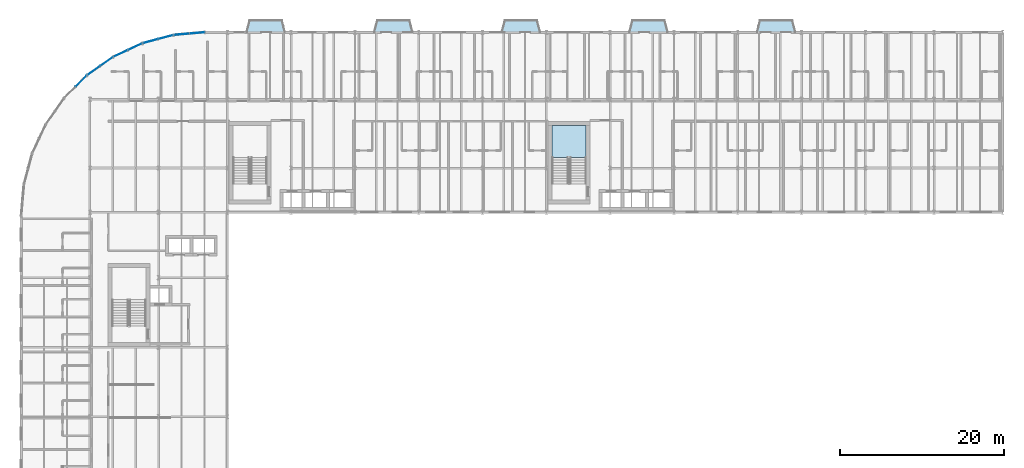
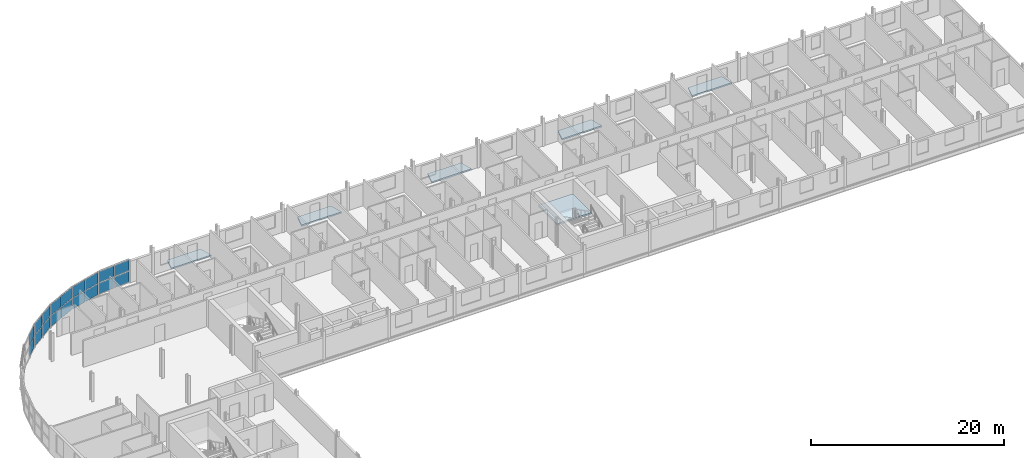
# One storey, part 15 of 34: 18 plates, 6 slabs, 6 elements without a shape of their own.
"""IFC4 building model written with IfcOpenShell, lengths in metres."""

from ifc_helpers import new_model, si_unit, direction, frame, origin, origin_2d, place, context, subcontext, project, spatial, polyline, rectangle, outline, extrude, material, layer, layer_set, type_object, element, aggregate, save


model = new_model("IFC4")

# Units and contexts
model_context = context("Model", 3, precision=1e-05, world=origin(), true_north=direction((0.0, 1.0)))
body_context = subcontext(model_context, "Body", "Model", "MODEL_VIEW")
ifc_project = project(units=[si_unit("LENGTHUNIT", "METRE"), si_unit("AREAUNIT", "SQUARE_METRE"), si_unit("VOLUMEUNIT", "CUBIC_METRE"), si_unit("PLANEANGLEUNIT", "RADIAN"), si_unit("MASSUNIT", "GRAM", prefix="KILO")], contexts=[model_context])

# Site, building, storey
site_placement = place(None, origin())
site = spatial("IfcSite", under=ifc_project, at=site_placement, CompositionType="ELEMENT")
building_placement = place(site_placement, origin())
building = spatial("IfcBuilding", under=site, at=building_placement, Name="Sefraquen Railside Congress Hotel", CompositionType="ELEMENT")
storey_placement = place(building_placement, frame((0.0, 0.0, 31.800048828125)))
storey = spatial("IfcBuildingStorey", under=building, at=storey_placement, Name="L07", CompositionType="ELEMENT", Elevation=31.800048828125)

# Curtain wall, plates
ifc_material_1 = material(Name="Thermally broken anodised aluminium and low-E double glazing", Category="aluminium")
ifc_layer_1 = layer(ifc_material_1, 0.199951171875)
ifc_layer_set_1 = layer_set([ifc_layer_1], Name="Thermally broken anodised aluminium and low-E double glazing")
curtain_wall_type_1 = type_object("IfcCurtainWallType", Name="TCW-UCW-32", PredefinedType="USERDEFINED", material=ifc_layer_set_1)
curtain_wall_1_placement = place(storey_placement, origin())
curtain_wall_1 = element("IfcCurtainWall", 1, at=curtain_wall_1_placement, inside=storey, type_object=curtain_wall_type_1, Name="Rotunda L07 curved curtain wall facet 1", ObjectType="UNITISED CURTAIN WALL", PredefinedType="USERDEFINED")
ifc_material_2 = material(Name="Solar-control low-E double glazing", Category="glass")
ifc_layer_2 = layer(ifc_material_2, 0.02392578125)
ifc_layer_set_2 = layer_set([ifc_layer_2], Name="Solar-control low-E double glazing")
plate_type_1 = type_object("IfcPlateType", Name="TP-CWP-01", PredefinedType="CURTAIN_PANEL", material=ifc_layer_set_2)
plate_1_placement = place(storey_placement, frame((21.50341796875, 117.912841796875, 0.0400390625), z_axis=(0.0, 0.0, 1.0), x_axis=(-0.996196219095, -0.087138355857, 0.0)))
plate_1 = element("IfcPlate", 2, at=plate_1_placement, type_object=plate_type_1, Name="CW-L07-ROT-01 panel 1.1", PredefinedType="CURTAIN_PANEL", context=body_context, shape_type="SweptSolid", body=[
    extrude(rectangle(XDim=1.8310546875, YDim=0.02392578125, at=origin_2d()), origin(), (0.0, 0.0, 1.0), 1.375),
])
plate_2_placement = place(storey_placement, frame((19.589599609375, 117.745361328125, 0.0400390625), z_axis=(0.0, 0.0, 1.0), x_axis=(-0.996196219095, -0.087138355857, 0.0)))
plate_2 = element("IfcPlate", 3, at=plate_2_placement, type_object=plate_type_1, Name="CW-L07-ROT-01 panel 1.2", PredefinedType="CURTAIN_PANEL", context=body_context, shape_type="SweptSolid", body=[
    extrude(rectangle(XDim=1.8310546875, YDim=0.02392578125, at=origin_2d()), origin(), (0.0, 0.0, 1.0), 1.375),
])

ifc_layer_3 = layer(ifc_material_1, 0.199951171875)
ifc_layer_set_3 = layer_set([ifc_layer_3], Name="Thermally broken anodised aluminium and low-E double glazing")
curtain_wall_type_2 = type_object("IfcCurtainWallType", Name="TCW-UCW-01", PredefinedType="USERDEFINED", material=ifc_layer_set_3)
curtain_wall_2_placement = place(storey_placement, origin())
curtain_wall_2 = element("IfcCurtainWall", 4, at=curtain_wall_2_placement, inside=storey, type_object=curtain_wall_type_2, Name="Rotunda L07 curved curtain wall facet 2", ObjectType="UNITISED CURTAIN WALL", PredefinedType="USERDEFINED")
plate_3_placement = place(storey_placement, frame((17.62646484375, 117.399169921875, 0.0400390625), z_axis=(0.0, 0.0, 1.0), x_axis=(-0.96593486019, -0.258785327773, 0.0)))
plate_3 = element("IfcPlate", 5, at=plate_3_placement, type_object=plate_type_1, Name="CW-L07-ROT-02 panel 1.1", PredefinedType="CURTAIN_PANEL", context=body_context, shape_type="SweptSolid", body=[
    extrude(rectangle(XDim=1.8310546875, YDim=0.02392578125, at=origin_2d()), origin(), (0.0, 0.0, 1.0), 1.375),
])
plate_4_placement = place(storey_placement, frame((15.77099609375, 116.902099609375, 0.0400390625), z_axis=(0.0, 0.0, 1.0), x_axis=(-0.96593486019, -0.258785327773, 0.0)))
plate_4 = element("IfcPlate", 6, at=plate_4_placement, type_object=plate_type_1, Name="CW-L07-ROT-02 panel 1.2", PredefinedType="CURTAIN_PANEL", context=body_context, shape_type="SweptSolid", body=[
    extrude(rectangle(XDim=1.8310546875, YDim=0.02392578125, at=origin_2d()), origin(), (0.0, 0.0, 1.0), 1.375),
])

ifc_layer_4 = layer(ifc_material_1, 0.199951171875)
ifc_layer_set_4 = layer_set([ifc_layer_4], Name="Thermally broken anodised aluminium and low-E double glazing")
curtain_wall_type_3 = type_object("IfcCurtainWallType", Name="TCW-UCW-02", PredefinedType="USERDEFINED", material=ifc_layer_set_4)
curtain_wall_3_placement = place(storey_placement, origin())
curtain_wall_3 = element("IfcCurtainWall", 7, at=curtain_wall_3_placement, inside=storey, type_object=curtain_wall_type_3, Name="Rotunda L07 curved curtain wall facet 3", ObjectType="UNITISED CURTAIN WALL", PredefinedType="USERDEFINED")
plate_5_placement = place(storey_placement, frame((13.897705078125, 116.22021484375, 0.0400390625), z_axis=(0.0, 0.0, 1.0), x_axis=(-0.906300410818, -0.422634079731, 0.0)))
plate_5 = element("IfcPlate", 8, at=plate_5_placement, type_object=plate_type_1, Name="CW-L07-ROT-03 panel 1.1", PredefinedType="CURTAIN_PANEL", context=body_context, shape_type="SweptSolid", body=[
    extrude(rectangle(XDim=1.830810546875, YDim=0.02392578125, at=origin_2d()), origin(), (0.0, 0.0, 1.0), 1.375),
])
plate_6_placement = place(storey_placement, frame((12.15673828125, 115.408447265625, 0.0400390625), z_axis=(0.0, 0.0, 1.0), x_axis=(-0.906300410818, -0.422634079731, 0.0)))
plate_6 = element("IfcPlate", 9, at=plate_6_placement, type_object=plate_type_1, Name="CW-L07-ROT-03 panel 1.2", PredefinedType="CURTAIN_PANEL", context=body_context, shape_type="SweptSolid", body=[
    extrude(rectangle(XDim=1.830810546875, YDim=0.02392578125, at=origin_2d()), origin(), (0.0, 0.0, 1.0), 1.375),
])

ifc_layer_5 = layer(ifc_material_1, 0.199951171875)
ifc_layer_set_5 = layer_set([ifc_layer_5], Name="Thermally broken anodised aluminium and low-E double glazing")
curtain_wall_type_4 = type_object("IfcCurtainWallType", Name="TCW-UCW-03", PredefinedType="USERDEFINED", material=ifc_layer_set_5)
curtain_wall_4_placement = place(storey_placement, origin())
curtain_wall_4 = element("IfcCurtainWall", 10, at=curtain_wall_4_placement, inside=storey, type_object=curtain_wall_type_4, Name="Rotunda L07 curved curtain wall facet 4", ObjectType="UNITISED CURTAIN WALL", PredefinedType="USERDEFINED")
plate_7_placement = place(storey_placement, frame((10.430419921875, 114.411865234375, 0.0400390625), z_axis=(0.0, 0.0, 1.0), x_axis=(-0.819132022195, -0.573605029802, 0.0)))
plate_7 = element("IfcPlate", 11, at=plate_7_placement, type_object=plate_type_1, Name="CW-L07-ROT-04 panel 1.1", PredefinedType="CURTAIN_PANEL", context=body_context, shape_type="SweptSolid", body=[
    extrude(rectangle(XDim=1.8310546875, YDim=0.02392578125, at=origin_2d()), origin(), (0.0, 0.0, 1.0), 1.375),
])
plate_8_placement = place(storey_placement, frame((8.856689453125, 113.309814453125, 0.0400390625), z_axis=(0.0, 0.0, 1.0), x_axis=(-0.819132022195, -0.573605029802, 0.0)))
plate_8 = element("IfcPlate", 12, at=plate_8_placement, type_object=plate_type_1, Name="CW-L07-ROT-04 panel 1.2", PredefinedType="CURTAIN_PANEL", context=body_context, shape_type="SweptSolid", body=[
    extrude(rectangle(XDim=1.8310546875, YDim=0.02392578125, at=origin_2d()), origin(), (0.0, 0.0, 1.0), 1.375),
])

# Curtain wall, plate
ifc_layer_6 = layer(ifc_material_1, 0.199951171875)
ifc_layer_set_6 = layer_set([ifc_layer_6], Name="Thermally broken anodised aluminium and low-E double glazing")
curtain_wall_type_5 = type_object("IfcCurtainWallType", Name="TCW-UCW-04", PredefinedType="USERDEFINED", material=ifc_layer_set_6)
curtain_wall_5_placement = place(storey_placement, origin())
curtain_wall_5 = element("IfcCurtainWall", 13, at=curtain_wall_5_placement, inside=storey, type_object=curtain_wall_type_5, Name="Rotunda L07 curved curtain wall facet 5", ObjectType="UNITISED CURTAIN WALL", PredefinedType="USERDEFINED")
plate_9_placement = place(storey_placement, frame((7.329833984375, 112.028564453125, 0.0400390625), z_axis=(0.0, 0.0, 1.0), x_axis=(-0.707106781187, -0.707106781187, 0.0)))
plate_9 = element("IfcPlate", 14, at=plate_9_placement, type_object=plate_type_1, Name="CW-L07-ROT-05 panel 1.1", PredefinedType="CURTAIN_PANEL", context=body_context, shape_type="SweptSolid", body=[
    extrude(rectangle(XDim=1.8310546875, YDim=0.02392578125, at=origin_2d()), origin(), (0.0, 0.0, 1.0), 1.375),
])

# Plate
ifc_material_3 = material(Name="Triple acoustic solar-control glazing", Category="glass")
ifc_layer_7 = layer(ifc_material_3, 0.031982421875)
ifc_layer_set_7 = layer_set([ifc_layer_7], Name="Triple acoustic solar-control glazing")
plate_type_2 = type_object("IfcPlateType", Name="TP-CWP-02", PredefinedType="CURTAIN_PANEL", material=ifc_layer_set_7)
plate_10_placement = place(storey_placement, frame((21.50341796875, 117.912841796875, 1.494873046875), z_axis=(0.0, 0.0, 1.0), x_axis=(-0.996196219095, -0.087138355857, 0.0)))
plate_10 = element("IfcPlate", 15, at=plate_10_placement, type_object=plate_type_2, Name="CW-L07-ROT-01 panel 2.1", PredefinedType="CURTAIN_PANEL", context=body_context, shape_type="SweptSolid", body=[
    extrude(rectangle(XDim=1.8310546875, YDim=0.031982421875, at=origin_2d()), origin(), (0.0, 0.0, 1.0), 1.375),
])

plate_11_placement = place(storey_placement, frame((19.589599609375, 117.745361328125, 1.494873046875), z_axis=(0.0, 0.0, 1.0), x_axis=(-0.996196219095, -0.087138355857, 0.0)))
plate_11 = element("IfcPlate", 16, at=plate_11_placement, type_object=plate_type_2, Name="CW-L07-ROT-01 panel 2.2", PredefinedType="CURTAIN_PANEL", context=body_context, shape_type="SweptSolid", body=[
    extrude(rectangle(XDim=1.8310546875, YDim=0.031982421875, at=origin_2d()), origin(), (0.0, 0.0, 1.0), 1.375),
])

aggregate(curtain_wall_1, [plate_1, plate_2, plate_10, plate_11])

plate_12_placement = place(storey_placement, frame((17.62646484375, 117.399169921875, 1.494873046875), z_axis=(0.0, 0.0, 1.0), x_axis=(-0.96593486019, -0.258785327773, 0.0)))
plate_12 = element("IfcPlate", 17, at=plate_12_placement, type_object=plate_type_2, Name="CW-L07-ROT-02 panel 2.1", PredefinedType="CURTAIN_PANEL", context=body_context, shape_type="SweptSolid", body=[
    extrude(rectangle(XDim=1.8310546875, YDim=0.031982421875, at=origin_2d()), origin(), (0.0, 0.0, 1.0), 1.375),
])

plate_13_placement = place(storey_placement, frame((15.77099609375, 116.902099609375, 1.494873046875), z_axis=(0.0, 0.0, 1.0), x_axis=(-0.96593486019, -0.258785327773, 0.0)))
plate_13 = element("IfcPlate", 18, at=plate_13_placement, type_object=plate_type_2, Name="CW-L07-ROT-02 panel 2.2", PredefinedType="CURTAIN_PANEL", context=body_context, shape_type="SweptSolid", body=[
    extrude(rectangle(XDim=1.8310546875, YDim=0.031982421875, at=origin_2d()), origin(), (0.0, 0.0, 1.0), 1.375),
])

aggregate(curtain_wall_2, [plate_3, plate_4, plate_12, plate_13])

plate_14_placement = place(storey_placement, frame((13.897705078125, 116.22021484375, 1.494873046875), z_axis=(0.0, 0.0, 1.0), x_axis=(-0.906300410818, -0.422634079731, 0.0)))
plate_14 = element("IfcPlate", 19, at=plate_14_placement, type_object=plate_type_2, Name="CW-L07-ROT-03 panel 2.1", PredefinedType="CURTAIN_PANEL", context=body_context, shape_type="SweptSolid", body=[
    extrude(rectangle(XDim=1.830810546875, YDim=0.031982421875, at=origin_2d()), origin(), (0.0, 0.0, 1.0), 1.375),
])

plate_15_placement = place(storey_placement, frame((12.15673828125, 115.408447265625, 1.494873046875), z_axis=(0.0, 0.0, 1.0), x_axis=(-0.906300410818, -0.422634079731, 0.0)))
plate_15 = element("IfcPlate", 20, at=plate_15_placement, type_object=plate_type_2, Name="CW-L07-ROT-03 panel 2.2", PredefinedType="CURTAIN_PANEL", context=body_context, shape_type="SweptSolid", body=[
    extrude(rectangle(XDim=1.830810546875, YDim=0.031982421875, at=origin_2d()), origin(), (0.0, 0.0, 1.0), 1.375),
])

aggregate(curtain_wall_3, [plate_5, plate_6, plate_14, plate_15])

plate_16_placement = place(storey_placement, frame((10.430419921875, 114.411865234375, 1.494873046875), z_axis=(0.0, 0.0, 1.0), x_axis=(-0.819132022195, -0.573605029802, 0.0)))
plate_16 = element("IfcPlate", 21, at=plate_16_placement, type_object=plate_type_2, Name="CW-L07-ROT-04 panel 2.1", PredefinedType="CURTAIN_PANEL", context=body_context, shape_type="SweptSolid", body=[
    extrude(rectangle(XDim=1.8310546875, YDim=0.031982421875, at=origin_2d()), origin(), (0.0, 0.0, 1.0), 1.375),
])

plate_17_placement = place(storey_placement, frame((8.856689453125, 113.309814453125, 1.494873046875), z_axis=(0.0, 0.0, 1.0), x_axis=(-0.819132022195, -0.573605029802, 0.0)))
plate_17 = element("IfcPlate", 22, at=plate_17_placement, type_object=plate_type_2, Name="CW-L07-ROT-04 panel 2.2", PredefinedType="CURTAIN_PANEL", context=body_context, shape_type="SweptSolid", body=[
    extrude(rectangle(XDim=1.8310546875, YDim=0.031982421875, at=origin_2d()), origin(), (0.0, 0.0, 1.0), 1.375),
])

aggregate(curtain_wall_4, [plate_7, plate_8, plate_16, plate_17])

plate_18_placement = place(storey_placement, frame((7.329833984375, 112.028564453125, 1.494873046875), z_axis=(0.0, 0.0, 1.0), x_axis=(-0.707106781187, -0.707106781187, 0.0)))
plate_18 = element("IfcPlate", 23, at=plate_18_placement, type_object=plate_type_2, Name="CW-L07-ROT-05 panel 2.1", PredefinedType="CURTAIN_PANEL", context=body_context, shape_type="SweptSolid", body=[
    extrude(rectangle(XDim=1.8310546875, YDim=0.031982421875, at=origin_2d()), origin(), (0.0, 0.0, 1.0), 1.375),
])

aggregate(curtain_wall_5, [plate_9, plate_18])

# Slabs
ifc_material_4 = material(Name="Concrete C40/50", Category="concrete")
ifc_layer_8 = layer(ifc_material_4, 0.179931640625)
ifc_layer_set_8 = layer_set([ifc_layer_8], Name="Concrete C40/50")
slab_type_1 = type_object("IfcSlabType", Name="TS-BL-180", PredefinedType="FLOOR", material=ifc_layer_set_8)
slab_1_placement = place(storey_placement, frame((0.0, 0.0, -0.179931640625)))
element("IfcSlab", 24, at=slab_1_placement, inside=storey, type_object=slab_type_1, Name="Hotel Art Nouveau balcony slab L07-01", PredefinedType="FLOOR", context=body_context, shape_type="SweptSolid", body=[
    extrude(outline(polyline([(27.5, 118.0), (32.300048828125, 118.0), (31.89990234375, 119.5), (27.89990234375, 119.5), (27.5, 118.0)])), origin(), (0.0, 0.0, 1.0), 0.179931640625),
])
slab_2_placement = place(storey_placement, frame((0.0, 0.0, -0.179931640625)))
element("IfcSlab", 25, at=slab_2_placement, inside=storey, type_object=slab_type_1, Name="Hotel Art Nouveau balcony slab L07-02", PredefinedType="FLOOR", context=body_context, shape_type="SweptSolid", body=[
    extrude(outline(polyline([(43.10009765625, 118.0), (47.89990234375, 118.0), (47.5, 119.5), (43.5, 119.5), (43.10009765625, 118.0)])), origin(), (0.0, 0.0, 1.0), 0.179931640625),
])
slab_3_placement = place(storey_placement, frame((0.0, 0.0, -0.179931640625)))
element("IfcSlab", 26, at=slab_3_placement, inside=storey, type_object=slab_type_1, Name="Hotel Art Nouveau balcony slab L07-03", PredefinedType="FLOOR", context=body_context, shape_type="SweptSolid", body=[
    extrude(outline(polyline([(58.699951171875, 118.0), (63.5, 118.0), (63.10009765625, 119.5), (59.10009765625, 119.5), (58.699951171875, 118.0)])), origin(), (0.0, 0.0, 1.0), 0.179931640625),
])
slab_4_placement = place(storey_placement, frame((0.0, 0.0, -0.179931640625)))
element("IfcSlab", 27, at=slab_4_placement, inside=storey, type_object=slab_type_1, Name="Hotel Art Nouveau balcony slab L07-04", PredefinedType="FLOOR", context=body_context, shape_type="SweptSolid", body=[
    extrude(outline(polyline([(74.300048828125, 118.0), (79.10009765625, 118.0), (78.699951171875, 119.5), (74.699951171875, 119.5), (74.300048828125, 118.0)])), origin(), (0.0, 0.0, 1.0), 0.179931640625),
])
slab_5_placement = place(storey_placement, frame((0.0, 0.0, -0.179931640625)))
element("IfcSlab", 28, at=slab_5_placement, inside=storey, type_object=slab_type_1, Name="Hotel Art Nouveau balcony slab L07-05", PredefinedType="FLOOR", context=body_context, shape_type="SweptSolid", body=[
    extrude(outline(polyline([(89.89990234375, 118.0), (94.699951171875, 118.0), (94.300048828125, 119.5), (90.300048828125, 119.5), (89.89990234375, 118.0)])), origin(), (0.0, 0.0, 1.0), 0.179931640625),
])

# Stair, slab
stair_type = type_object("IfcStairType", Name="TST-DOG-198-450", PredefinedType="HALF_TURN_STAIR", material=ifc_material_4)
stair_placement = place(storey_placement, origin())
stair = element("IfcStair", 29, at=stair_placement, inside=storey, type_object=stair_type, Name="L07 Pressurized escape stair ST-H03", PredefinedType="HALF_TURN_STAIR")
ifc_layer_9 = layer(ifc_material_4, 0.199951171875)
ifc_layer_set_9 = layer_set([ifc_layer_9], Name="Concrete C40/50")
slab_type_2 = type_object("IfcSlabType", Name="TS-LD-200", PredefinedType="LANDING", material=ifc_layer_set_9)
slab_6_placement = place(storey_placement, frame((0.0, 0.0, 1.599853515625)))
slab_6 = element("IfcSlab", 30, at=slab_6_placement, type_object=slab_type_2, Name="ST-H03 landing 1", PredefinedType="LANDING", context=body_context, shape_type="SweptSolid", body=[
    extrude(outline(polyline([(69.06005859375, 102.699951171875), (69.06005859375, 106.612060546875), (64.89990234375, 106.612060546875), (64.89990234375, 102.699951171875), (69.06005859375, 102.699951171875)])), origin(), (0.0, 0.0, 1.0), 0.2001953125),
])
aggregate(stair, [slab_6])

save(model, "model.ifc")
